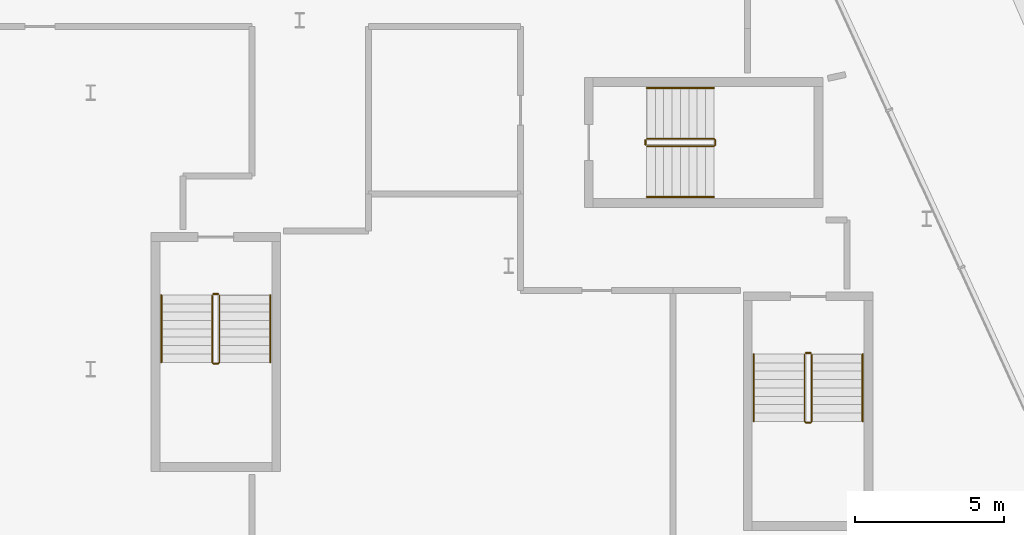
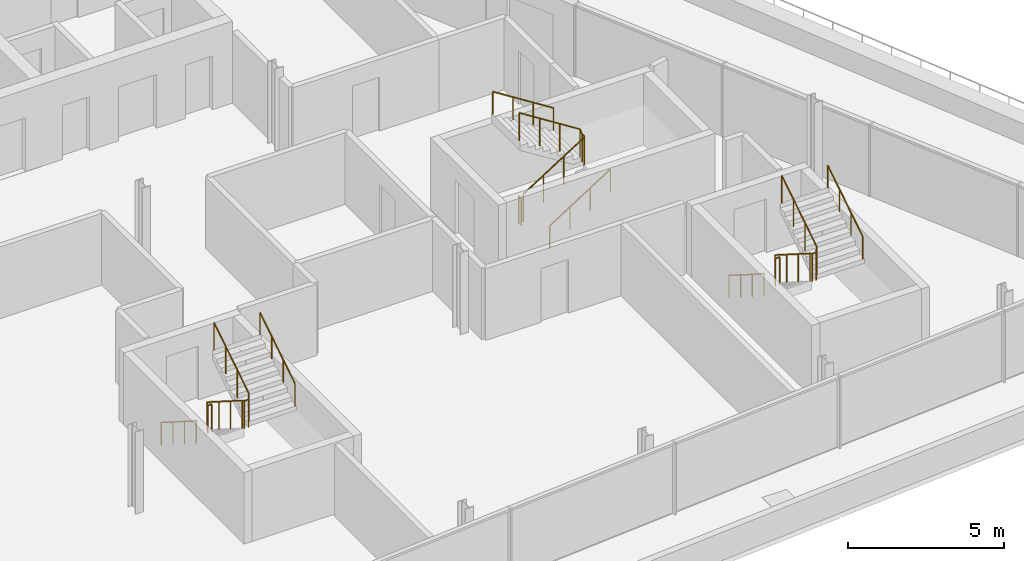
# One storey, part 15 of 17: 12 railings.
"""IFC4 building model written with IfcOpenShell, lengths in metres."""

from ifc_helpers import new_model, si_unit, direction, frame, origin, origin_2d, place, context, subcontext, project, spatial, circle, extrude, material, type_object, element, save


model = new_model("IFC4")

# Units and contexts
model_context = context("Model", 3, precision=1e-05, world=origin(), true_north=direction((0.0, 1.0)))
body_context = subcontext(model_context, "Body", "Model", "MODEL_VIEW")
ifc_project = project(units=[si_unit("LENGTHUNIT", "METRE"), si_unit("AREAUNIT", "SQUARE_METRE"), si_unit("VOLUMEUNIT", "CUBIC_METRE"), si_unit("PLANEANGLEUNIT", "RADIAN"), si_unit("MASSUNIT", "GRAM", prefix="KILO")], contexts=[model_context])

# Site, building, storey
site_placement = place(None, origin())
site = spatial("IfcSite", under=ifc_project, at=site_placement, CompositionType="ELEMENT")
building_placement = place(site_placement, origin())
building = spatial("IfcBuilding", under=site, at=building_placement, Name="Wharfspan Tower", CompositionType="ELEMENT")
storey_placement = place(building_placement, frame((0.0, 0.0, 261.100098)))
storey = spatial("IfcBuildingStorey", under=building, at=storey_placement, Name="L66", CompositionType="ELEMENT", Elevation=261.100098)

# Railings
ifc_material = material(Name="Steel S355J2", Category="steel")
railing_type_1 = type_object("IfcRailingType", Name="Stair guard 1100", PredefinedType="GUARDRAIL", material=ifc_material)
railing_1_placement = place(storey_placement, frame((67.906738, 16.421631, 0.177734)))
element("IfcRailing", 1, at=railing_1_placement, inside=storey, type_object=railing_type_1, Name="L66 ST7 stair guard 1", PredefinedType="GUARDRAIL", context=body_context, shape_type="SweptSolid", body=[
    extrude(circle(Radius=0.023926, at=origin_2d()), frame((0.0, 0.0, 1.076172), z_axis=(0.0, -0.844229, 0.535982), x_axis=(1.0, 0.0, 0.0)), (0.0, 0.0, 1.0), 2.65332),
    extrude(circle(Radius=0.023926, at=origin_2d()), frame((0.0, -2.23999, 2.498047), z_axis=(0.707107, -0.707107, 0.0), x_axis=(0.707107, 0.707107, 0.0)), (0.0, 0.0, 1.0), 0.070312),
    extrude(circle(Radius=0.023926, at=origin_2d()), frame((0.049805, -2.289795, 2.498047), z_axis=(1.0, 0.0, 0.0), x_axis=(0.0, 1.0, 0.0)), (0.0, 0.0, 1.0), 0.150146),
    extrude(circle(Radius=0.023926, at=origin_2d()), frame((0.199951, -2.289795, 2.498047), z_axis=(0.261699, 0.260423, 0.929351), x_axis=(-0.70538, 0.708829, 2e-06)), (0.0, 0.0, 1.0), 0.191162),
    extrude(circle(Radius=0.023926, at=origin_2d()), frame((0.25, -2.23999, 2.675781), z_axis=(0.0, 0.844188, 0.536048), x_axis=(-1.0, 0.0, 0.0)), (0.0, 0.0, 1.0), 2.65332),
    extrude(circle(Radius=0.020996, at=origin_2d()), origin(), (0.0, 0.0, 1.0), 1.052002),
    extrude(circle(Radius=0.020996, at=origin_2d()), frame((0.0, -0.746582, 0.474121)), (0.0, 0.0, 1.0), 1.052002),
    extrude(circle(Radius=0.020996, at=origin_2d()), frame((0.0, -1.493408, 0.947998)), (0.0, 0.0, 1.0), 1.052002),
    extrude(circle(Radius=0.020996, at=origin_2d()), frame((0.0, -2.23999, 1.422119)), (0.0, 0.0, 1.0), 1.052002),
    extrude(circle(Radius=0.020996, at=origin_2d()), frame((0.049805, -2.289795, 1.422119)), (0.0, 0.0, 1.0), 1.052002),
    extrude(circle(Radius=0.020996, at=origin_2d()), frame((0.199951, -2.289795, 1.422119)), (0.0, 0.0, 1.0), 1.052002),
    extrude(circle(Radius=0.020996, at=origin_2d()), frame((0.25, -2.23999, 1.599854)), (0.0, 0.0, 1.0), 1.052002),
    extrude(circle(Radius=0.020996, at=origin_2d()), frame((0.25, -1.493408, 2.073975)), (0.0, 0.0, 1.0), 1.052002),
    extrude(circle(Radius=0.020996, at=origin_2d()), frame((0.25, -0.746582, 2.548096)), (0.0, 0.0, 1.0), 1.052002),
    extrude(circle(Radius=0.020996, at=origin_2d()), frame((0.25, 0.0, 3.022217)), (0.0, 0.0, 1.0), 1.052002),
])
railing_2_placement = place(storey_placement, frame((67.956543, 16.47168, 0.0)))
element("IfcRailing", 2, at=railing_2_placement, inside=storey, type_object=railing_type_1, Name="L66 ST7 stair guard 2", PredefinedType="GUARDRAIL", context=body_context, shape_type="SweptSolid", body=[
    extrude(circle(Radius=0.023926, at=origin_2d()), frame((0.0, 0.0, 1.076172), z_axis=(1.0, 0.0, 0.0), x_axis=(0.0, 1.0, 0.0)), (0.0, 0.0, 1.0), 0.150146),
    extrude(circle(Radius=0.020996, at=origin_2d()), origin(), (0.0, 0.0, 1.0), 1.052002),
    extrude(circle(Radius=0.020996, at=origin_2d()), frame((0.150146, 0.0, 0.0)), (0.0, 0.0, 1.0), 1.052002),
])
railing_3_placement = place(storey_placement, frame((62.631592, 23.396729, 0.177734)))
element("IfcRailing", 3, at=railing_3_placement, inside=storey, type_object=railing_type_1, Name="L66 ST8 stair guard 1", PredefinedType="GUARDRAIL", context=body_context, shape_type="SweptSolid", body=[
    extrude(circle(Radius=0.023926, at=origin_2d()), frame((0.0, 0.0, 1.076172), z_axis=(0.844229, 0.0, 0.535982), x_axis=(0.0, 1.0, 0.0)), (0.0, 0.0, 1.0), 2.65332),
    extrude(circle(Radius=0.023926, at=origin_2d()), frame((2.23999, 0.0, 2.498047), z_axis=(0.707107, 0.707107, 0.0), x_axis=(-0.707107, 0.707107, 0.0)), (0.0, 0.0, 1.0), 0.070801),
    extrude(circle(Radius=0.023926, at=origin_2d()), frame((2.290039, 0.050049, 2.498047), z_axis=(0.0, 1.0, 0.0), x_axis=(-1.0, 0.0, 0.0)), (0.0, 0.0, 1.0), 0.149902),
    extrude(circle(Radius=0.023926, at=origin_2d()), frame((2.290039, 0.199951, 2.498047), z_axis=(-0.261612, 0.261612, 0.929042), x_axis=(-0.707107, -0.707107, 0.0)), (0.0, 0.0, 1.0), 0.191406),
    extrude(circle(Radius=0.023926, at=origin_2d()), frame((2.23999, 0.25, 2.675781), z_axis=(-0.844188, 0.0, 0.536048), x_axis=(0.0, -1.0, 0.0)), (0.0, 0.0, 1.0), 2.65332),
    extrude(circle(Radius=0.020996, at=origin_2d()), origin(), (0.0, 0.0, 1.0), 1.052002),
    extrude(circle(Radius=0.020996, at=origin_2d()), frame((0.746582, 0.0, 0.474121)), (0.0, 0.0, 1.0), 1.052002),
    extrude(circle(Radius=0.020996, at=origin_2d()), frame((1.493408, 0.0, 0.947998)), (0.0, 0.0, 1.0), 1.052002),
    extrude(circle(Radius=0.020996, at=origin_2d()), frame((2.23999, 0.0, 1.422119)), (0.0, 0.0, 1.0), 1.052002),
    extrude(circle(Radius=0.020996, at=origin_2d()), frame((2.290039, 0.050049, 1.422119)), (0.0, 0.0, 1.0), 1.052002),
    extrude(circle(Radius=0.020996, at=origin_2d()), frame((2.290039, 0.199951, 1.422119)), (0.0, 0.0, 1.0), 1.052002),
    extrude(circle(Radius=0.020996, at=origin_2d()), frame((2.23999, 0.25, 1.599854)), (0.0, 0.0, 1.0), 1.052002),
    extrude(circle(Radius=0.020996, at=origin_2d()), frame((1.493408, 0.25, 2.073975)), (0.0, 0.0, 1.0), 1.052002),
    extrude(circle(Radius=0.020996, at=origin_2d()), frame((0.746582, 0.25, 2.548096)), (0.0, 0.0, 1.0), 1.052002),
    extrude(circle(Radius=0.020996, at=origin_2d()), frame((0.0, 0.25, 3.022217)), (0.0, 0.0, 1.0), 1.052002),
])
railing_4_placement = place(storey_placement, frame((62.581543, 23.446777, 0.0)))
element("IfcRailing", 4, at=railing_4_placement, inside=storey, type_object=railing_type_1, Name="L66 ST8 stair guard 2", PredefinedType="GUARDRAIL", context=body_context, shape_type="SweptSolid", body=[
    extrude(circle(Radius=0.023926, at=origin_2d()), frame((0.0, 0.0, 1.076172), z_axis=(0.0, 1.0, 0.0), x_axis=(-1.0, 0.0, 0.0)), (0.0, 0.0, 1.0), 0.149902),
    extrude(circle(Radius=0.020996, at=origin_2d()), origin(), (0.0, 0.0, 1.0), 1.052002),
    extrude(circle(Radius=0.020996, at=origin_2d()), frame((0.0, 0.149902, 0.0)), (0.0, 0.0, 1.0), 1.052002),
])
railing_5_placement = place(storey_placement, frame((48.066162, 18.400391, 0.177734)))
element("IfcRailing", 5, at=railing_5_placement, inside=storey, type_object=railing_type_1, Name="L66 ST9 stair guard 1", PredefinedType="GUARDRAIL", context=body_context, shape_type="SweptSolid", body=[
    extrude(circle(Radius=0.023926, at=origin_2d()), frame((0.0, 0.0, 1.076172), z_axis=(0.0, -0.844229, 0.535982), x_axis=(1.0, 0.0, 0.0)), (0.0, 0.0, 1.0), 2.65332),
    extrude(circle(Radius=0.023926, at=origin_2d()), frame((0.0, -2.23999, 2.498047), z_axis=(0.705376, -0.708834, 0.0), x_axis=(0.708834, 0.705376, 0.0)), (0.0, 0.0, 1.0), 0.070557),
    extrude(circle(Radius=0.023926, at=origin_2d()), frame((0.049805, -2.290039, 2.498047), z_axis=(1.0, 0.0, 0.0), x_axis=(0.0, 1.0, 0.0)), (0.0, 0.0, 1.0), 0.150146),
    extrude(circle(Radius=0.023926, at=origin_2d()), frame((0.199951, -2.290039, 2.498047), z_axis=(0.261612, 0.261612, 0.929042), x_axis=(-0.707107, 0.707107, 0.0)), (0.0, 0.0, 1.0), 0.191406),
    extrude(circle(Radius=0.023926, at=origin_2d()), frame((0.25, -2.23999, 2.675781), z_axis=(0.0, 0.844188, 0.536048), x_axis=(-1.0, 0.0, 0.0)), (0.0, 0.0, 1.0), 2.65332),
    extrude(circle(Radius=0.020996, at=origin_2d()), origin(), (0.0, 0.0, 1.0), 1.052002),
    extrude(circle(Radius=0.020996, at=origin_2d()), frame((0.0, -0.746582, 0.474121)), (0.0, 0.0, 1.0), 1.052002),
    extrude(circle(Radius=0.020996, at=origin_2d()), frame((0.0, -1.493408, 0.947998)), (0.0, 0.0, 1.0), 1.052002),
    extrude(circle(Radius=0.020996, at=origin_2d()), frame((0.0, -2.23999, 1.422119)), (0.0, 0.0, 1.0), 1.052002),
    extrude(circle(Radius=0.020996, at=origin_2d()), frame((0.049805, -2.290039, 1.422119)), (0.0, 0.0, 1.0), 1.052002),
    extrude(circle(Radius=0.020996, at=origin_2d()), frame((0.199951, -2.290039, 1.422119)), (0.0, 0.0, 1.0), 1.052002),
    extrude(circle(Radius=0.020996, at=origin_2d()), frame((0.25, -2.23999, 1.599854)), (0.0, 0.0, 1.0), 1.052002),
    extrude(circle(Radius=0.020996, at=origin_2d()), frame((0.25, -1.493408, 2.073975)), (0.0, 0.0, 1.0), 1.052002),
    extrude(circle(Radius=0.020996, at=origin_2d()), frame((0.25, -0.746582, 2.548096)), (0.0, 0.0, 1.0), 1.052002),
    extrude(circle(Radius=0.020996, at=origin_2d()), frame((0.25, 0.0, 3.022217)), (0.0, 0.0, 1.0), 1.052002),
])
railing_6_placement = place(storey_placement, frame((48.115967, 18.450439, 0.0)))
element("IfcRailing", 6, at=railing_6_placement, inside=storey, type_object=railing_type_1, Name="L66 ST9 stair guard 2", PredefinedType="GUARDRAIL", context=body_context, shape_type="SweptSolid", body=[
    extrude(circle(Radius=0.023926, at=origin_2d()), frame((0.0, 0.0, 1.076172), z_axis=(1.0, 0.0, 0.0), x_axis=(0.0, 1.0, 0.0)), (0.0, 0.0, 1.0), 0.150146),
    extrude(circle(Radius=0.020996, at=origin_2d()), origin(), (0.0, 0.0, 1.0), 1.052002),
    extrude(circle(Radius=0.020996, at=origin_2d()), frame((0.150146, 0.0, 0.0)), (0.0, 0.0, 1.0), 1.052002),
])
railing_type_2 = type_object("IfcRailingType", Name="Stair handrail 900", PredefinedType="HANDRAIL", material=ifc_material)
railing_7_placement = place(storey_placement, frame((66.206543, 16.421631, 0.177734)))
element("IfcRailing", 7, at=railing_7_placement, inside=storey, type_object=railing_type_2, Name="L66 ST7 stair handrail 1", PredefinedType="HANDRAIL", context=body_context, shape_type="SweptSolid", body=[
    extrude(circle(Radius=0.023926, at=origin_2d()), frame((0.0, 0.0, 0.875977), z_axis=(0.0, -0.844229, 0.535982), x_axis=(1.0, 0.0, 0.0)), (0.0, 0.0, 1.0), 2.65332),
    extrude(circle(Radius=0.020996, at=origin_2d()), origin(), (0.0, 0.0, 1.0), 0.851807),
    extrude(circle(Radius=0.020996, at=origin_2d()), frame((0.0, -0.746582, 0.474121)), (0.0, 0.0, 1.0), 0.851807),
    extrude(circle(Radius=0.020996, at=origin_2d()), frame((0.0, -1.493408, 0.947998)), (0.0, 0.0, 1.0), 0.851807),
    extrude(circle(Radius=0.020996, at=origin_2d()), frame((0.0, -2.23999, 1.422119)), (0.0, 0.0, 1.0), 0.851807),
])
railing_8_placement = place(storey_placement, frame((69.856689, 14.181641, 1.777588)))
element("IfcRailing", 8, at=railing_8_placement, inside=storey, type_object=railing_type_2, Name="L66 ST7 stair handrail 2", PredefinedType="HANDRAIL", context=body_context, shape_type="SweptSolid", body=[
    extrude(circle(Radius=0.023926, at=origin_2d()), frame((0.0, 0.0, 0.875977), z_axis=(0.0, 0.844188, 0.536048), x_axis=(-1.0, 0.0, 0.0)), (0.0, 0.0, 1.0), 2.65332),
    extrude(circle(Radius=0.020996, at=origin_2d()), origin(), (0.0, 0.0, 1.0), 0.851807),
    extrude(circle(Radius=0.020996, at=origin_2d()), frame((0.0, 0.746582, 0.474121)), (0.0, 0.0, 1.0), 0.851807),
    extrude(circle(Radius=0.020996, at=origin_2d()), frame((0.0, 1.493408, 0.948242)), (0.0, 0.0, 1.0), 0.851807),
    extrude(circle(Radius=0.020996, at=origin_2d()), frame((0.0, 2.23999, 1.422363)), (0.0, 0.0, 1.0), 0.851807),
])
railing_9_placement = place(storey_placement, frame((62.631592, 21.696777, 0.177734)))
element("IfcRailing", 9, at=railing_9_placement, inside=storey, type_object=railing_type_2, Name="L66 ST8 stair handrail 1", PredefinedType="HANDRAIL", context=body_context, shape_type="SweptSolid", body=[
    extrude(circle(Radius=0.023926, at=origin_2d()), frame((0.0, 0.0, 0.875977), z_axis=(0.844229, 0.0, 0.535982), x_axis=(0.0, 1.0, 0.0)), (0.0, 0.0, 1.0), 2.65332),
    extrude(circle(Radius=0.020996, at=origin_2d()), origin(), (0.0, 0.0, 1.0), 0.851807),
    extrude(circle(Radius=0.020996, at=origin_2d()), frame((0.746582, 0.0, 0.474121)), (0.0, 0.0, 1.0), 0.851807),
    extrude(circle(Radius=0.020996, at=origin_2d()), frame((1.493408, 0.0, 0.947998)), (0.0, 0.0, 1.0), 0.851807),
    extrude(circle(Radius=0.020996, at=origin_2d()), frame((2.23999, 0.0, 1.422119)), (0.0, 0.0, 1.0), 0.851807),
])
railing_10_placement = place(storey_placement, frame((64.871582, 25.34668, 1.777588)))
element("IfcRailing", 10, at=railing_10_placement, inside=storey, type_object=railing_type_2, Name="L66 ST8 stair handrail 2", PredefinedType="HANDRAIL", context=body_context, shape_type="SweptSolid", body=[
    extrude(circle(Radius=0.023926, at=origin_2d()), frame((0.0, 0.0, 0.875977), z_axis=(-0.844188, 0.0, 0.536048), x_axis=(0.0, -1.0, 0.0)), (0.0, 0.0, 1.0), 2.65332),
    extrude(circle(Radius=0.020996, at=origin_2d()), origin(), (0.0, 0.0, 1.0), 0.851807),
    extrude(circle(Radius=0.020996, at=origin_2d()), frame((-0.746582, 0.0, 0.474121)), (0.0, 0.0, 1.0), 0.851807),
    extrude(circle(Radius=0.020996, at=origin_2d()), frame((-1.493408, 0.0, 0.948242)), (0.0, 0.0, 1.0), 0.851807),
    extrude(circle(Radius=0.020996, at=origin_2d()), frame((-2.23999, 0.0, 1.422363)), (0.0, 0.0, 1.0), 0.851807),
])
railing_11_placement = place(storey_placement, frame((46.365967, 18.400391, 0.177734)))
element("IfcRailing", 11, at=railing_11_placement, inside=storey, type_object=railing_type_2, Name="L66 ST9 stair handrail 1", PredefinedType="HANDRAIL", context=body_context, shape_type="SweptSolid", body=[
    extrude(circle(Radius=0.023926, at=origin_2d()), frame((0.0, 0.0, 0.875977), z_axis=(0.0, -0.844229, 0.535982), x_axis=(1.0, 0.0, 0.0)), (0.0, 0.0, 1.0), 2.65332),
    extrude(circle(Radius=0.020996, at=origin_2d()), origin(), (0.0, 0.0, 1.0), 0.851807),
    extrude(circle(Radius=0.020996, at=origin_2d()), frame((0.0, -0.746582, 0.474121)), (0.0, 0.0, 1.0), 0.851807),
    extrude(circle(Radius=0.020996, at=origin_2d()), frame((0.0, -1.493408, 0.947998)), (0.0, 0.0, 1.0), 0.851807),
    extrude(circle(Radius=0.020996, at=origin_2d()), frame((0.0, -2.23999, 1.422119)), (0.0, 0.0, 1.0), 0.851807),
])
railing_12_placement = place(storey_placement, frame((50.016113, 16.1604, 1.777588)))
element("IfcRailing", 12, at=railing_12_placement, inside=storey, type_object=railing_type_2, Name="L66 ST9 stair handrail 2", PredefinedType="HANDRAIL", context=body_context, shape_type="SweptSolid", body=[
    extrude(circle(Radius=0.023926, at=origin_2d()), frame((0.0, 0.0, 0.875977), z_axis=(0.0, 0.844188, 0.536048), x_axis=(-1.0, 0.0, 0.0)), (0.0, 0.0, 1.0), 2.65332),
    extrude(circle(Radius=0.020996, at=origin_2d()), origin(), (0.0, 0.0, 1.0), 0.851807),
    extrude(circle(Radius=0.020996, at=origin_2d()), frame((0.0, 0.746582, 0.474121)), (0.0, 0.0, 1.0), 0.851807),
    extrude(circle(Radius=0.020996, at=origin_2d()), frame((0.0, 1.493408, 0.948242)), (0.0, 0.0, 1.0), 0.851807),
    extrude(circle(Radius=0.020996, at=origin_2d()), frame((0.0, 2.23999, 1.422363)), (0.0, 0.0, 1.0), 0.851807),
])

save(model, "model.ifc")
